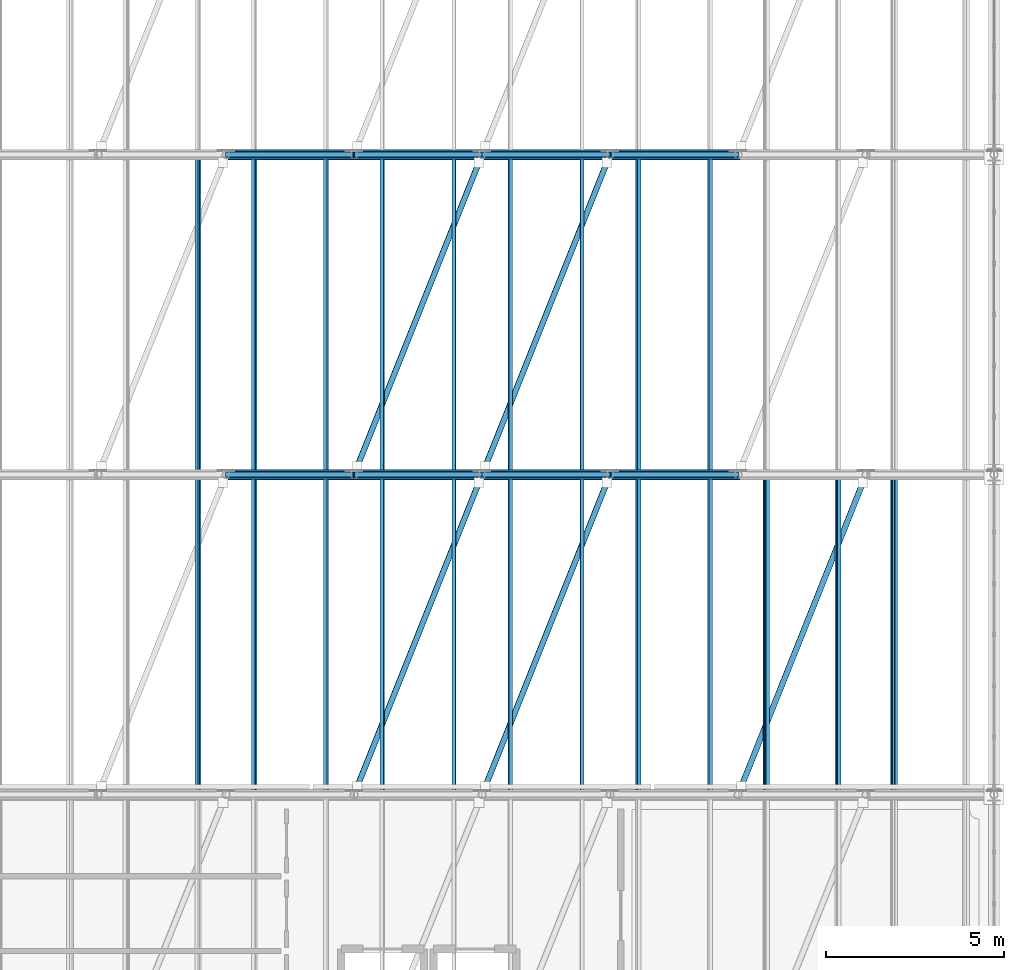
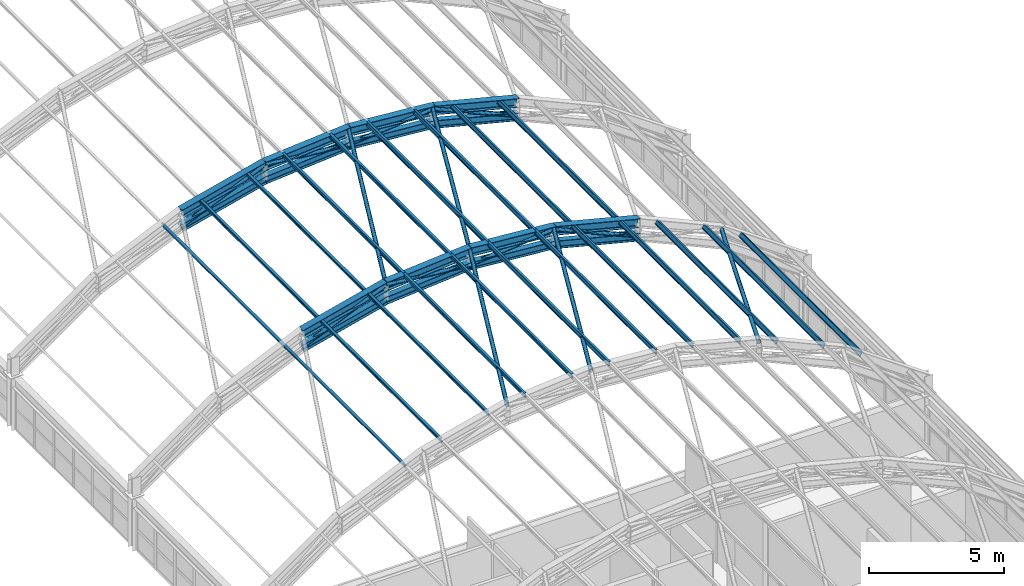
# One storey, part 40 of 121: 42 members, 8 beams.
"""IFC4 building model written with IfcOpenShell, lengths in metres."""

from ifc_helpers import new_model, si_unit, direction, frame, origin, origin_2d, place, context, subcontext, project, spatial, hollow_circle, i_section, extrude, material, material_profile, profile_set, type_object, element, save


model = new_model("IFC4")

# Units and contexts
model_context = context("Model", 3, precision=1e-05, world=origin(), true_north=direction((0.0, 1.0)))
body_context = subcontext(model_context, "Body", "Model", "MODEL_VIEW")
ifc_project = project(units=[si_unit("LENGTHUNIT", "METRE"), si_unit("AREAUNIT", "SQUARE_METRE"), si_unit("VOLUMEUNIT", "CUBIC_METRE"), si_unit("PLANEANGLEUNIT", "RADIAN"), si_unit("MASSUNIT", "GRAM", prefix="KILO")], contexts=[model_context])

# Site, building, storey
site_placement = place(None, origin())
site = spatial("IfcSite", under=ifc_project, at=site_placement, CompositionType="ELEMENT")
building_placement = place(site_placement, origin())
building = spatial("IfcBuilding", under=site, at=building_placement, Name="Canglan Escarpment Cableway Terminal", CompositionType="ELEMENT")
storey_placement = place(building_placement, frame((0.0, 0.0, 24.60009765625)))
storey = spatial("IfcBuildingStorey", under=building, at=storey_placement, Name="L05", CompositionType="ELEMENT", Elevation=24.60009765625)

# Beams
ifc_material = material(Name="Steel Q355B", Category="steel")
ifc_material_profile_1 = material_profile(ifc_material, i_section(OverallWidth=0.300048828125, OverallDepth=0.389892578125, WebThickness=0.010009765625, FlangeThickness=0.01611328125, FilletRadius=0.02197265625, at=origin_2d()), Name="HM 390x300x10x16")
ifc_profile_set_1 = profile_set([ifc_material_profile_1], Name="Steel Q355B")
beam_type = type_object("IfcBeamType", Name="BM-ARCH-TOP-HM390", PredefinedType="BEAM", material=ifc_profile_set_1)
beam_1_placement = place(storey_placement, frame((144.800048828125, 61.0, 7.23828125), z_axis=(0.969179969731, 0.0, 0.246353782743), x_axis=(0.0, 1.0, 0.0)))
element("IfcBeam", 1, at=beam_1_placement, inside=storey, type_object=beam_type, Name="Vault ROOF TRUSS arch top chord AR-TC1", PredefinedType="BEAM", context=body_context, shape_type="SweptSolid", body=[
    extrude(i_section(OverallWidth=0.300048828125, OverallDepth=0.389892578125, WebThickness=0.010009765625, FlangeThickness=0.01611328125, FilletRadius=0.02197265625, at=origin_2d()), origin(), (0.0, 0.0, 1.0), 3.71435546875),
])
for number, where, z_axis, x_axis, name in (
    (2, (148.39990234375, 61.0, 8.1533203125), (0.996622699984, 0.0, 0.082116952426), (0.0, 1.0, 0.0), "Vault ROOF TRUSS arch top chord AR-TC1"),
    (3, (152.0, 61.0, 8.449951171875), (0.996622699984, 0.0, -0.082116952426), (0.0, 1.0, 0.0), "Vault ROOF TRUSS arch top chord AR-TC1"),
):
    element("IfcBeam", number, at=place(storey_placement, frame(where, z_axis=z_axis, x_axis=x_axis)), inside=storey, type_object=beam_type, Name=name, PredefinedType="BEAM", context=body_context, shape_type="SweptSolid", body=[
        extrude(i_section(OverallWidth=0.300048828125, OverallDepth=0.389892578125, WebThickness=0.010009765625, FlangeThickness=0.01611328125, FilletRadius=0.02197265625, at=origin_2d()), origin(), (0.0, 0.0, 1.0), 3.6123046875),
    ])
for number, where, z_axis, x_axis, name in (
    (4, (155.60009765625, 61.0, 8.1533203125), (0.969179969731, 0.0, -0.246353782743), (0.0, 1.0, 0.0), "Vault ROOF TRUSS arch top chord AR-TC1"),
    (5, (144.800048828125, 70.0, 7.23828125), (0.969179969731, 0.0, 0.246353782743), (0.0, 1.0, 0.0), "Vault ROOF TRUSS arch top chord AR-TC1"),
):
    element("IfcBeam", number, at=place(storey_placement, frame(where, z_axis=z_axis, x_axis=x_axis)), inside=storey, type_object=beam_type, Name=name, PredefinedType="BEAM", context=body_context, shape_type="SweptSolid", body=[
        extrude(i_section(OverallWidth=0.300048828125, OverallDepth=0.389892578125, WebThickness=0.010009765625, FlangeThickness=0.01611328125, FilletRadius=0.02197265625, at=origin_2d()), origin(), (0.0, 0.0, 1.0), 3.71435546875),
    ])
for number, where, z_axis, x_axis, name in (
    (6, (148.39990234375, 70.0, 8.1533203125), (0.996622699984, 0.0, 0.082116952426), (0.0, 1.0, 0.0), "Vault ROOF TRUSS arch top chord AR-TC1"),
    (7, (152.0, 70.0, 8.449951171875), (0.996622699984, 0.0, -0.082116952426), (0.0, 1.0, 0.0), "Vault ROOF TRUSS arch top chord AR-TC1"),
):
    element("IfcBeam", number, at=place(storey_placement, frame(where, z_axis=z_axis, x_axis=x_axis)), inside=storey, type_object=beam_type, Name=name, PredefinedType="BEAM", context=body_context, shape_type="SweptSolid", body=[
        extrude(i_section(OverallWidth=0.300048828125, OverallDepth=0.389892578125, WebThickness=0.010009765625, FlangeThickness=0.01611328125, FilletRadius=0.02197265625, at=origin_2d()), origin(), (0.0, 0.0, 1.0), 3.6123046875),
    ])
beam_2_placement = place(storey_placement, frame((155.60009765625, 70.0, 8.1533203125), z_axis=(0.969179969731, 0.0, -0.246353782743), x_axis=(0.0, 1.0, 0.0)))
element("IfcBeam", 8, at=beam_2_placement, inside=storey, type_object=beam_type, Name="Vault ROOF TRUSS arch top chord AR-TC1", PredefinedType="BEAM", context=body_context, shape_type="SweptSolid", body=[
    extrude(i_section(OverallWidth=0.300048828125, OverallDepth=0.389892578125, WebThickness=0.010009765625, FlangeThickness=0.01611328125, FilletRadius=0.02197265625, at=origin_2d()), origin(), (0.0, 0.0, 1.0), 3.71435546875),
])

# Members
ifc_material_profile_2 = material_profile(ifc_material, i_section(OverallWidth=0.25, OverallDepth=0.340087890625, WebThickness=0.009033203125, FlangeThickness=0.013916015625, FilletRadius=0.02001953125, at=origin_2d()), Name="HM 340x250x9x14")
ifc_profile_set_2 = profile_set([ifc_material_profile_2], Name="Steel Q355B")
member_type_1 = type_object("IfcMemberType", Name="MB-ARCH-BOT-HM340", PredefinedType="CHORD", material=ifc_profile_set_2)
member_1_placement = place(storey_placement, frame((144.800048828125, 61.0, 6.58837890625), z_axis=(0.969179969731, 0.0, 0.246353782743), x_axis=(0.0, 1.0, 0.0)))
element("IfcMember", 9, at=member_1_placement, inside=storey, type_object=member_type_1, Name="Vault ROOF TRUSS arch bottom chord AR-BC1", PredefinedType="CHORD", context=body_context, shape_type="SweptSolid", body=[
    extrude(i_section(OverallWidth=0.25, OverallDepth=0.340087890625, WebThickness=0.009033203125, FlangeThickness=0.013916015625, FilletRadius=0.02001953125, at=origin_2d()), origin(), (0.0, 0.0, 1.0), 3.71435546875),
])
for number, where, z_axis, x_axis, name in (
    (10, (148.39990234375, 61.0, 7.50341796875), (0.996628228964, 0.0, 0.082049821644), (0.0, 1.0, 0.0), "Vault ROOF TRUSS arch bottom chord AR-BC1"),
    (11, (152.0, 61.0, 7.7998046875), (0.996628228964, 0.0, -0.082049821644), (0.0, 1.0, 0.0), "Vault ROOF TRUSS arch bottom chord AR-BC1"),
):
    element("IfcMember", number, at=place(storey_placement, frame(where, z_axis=z_axis, x_axis=x_axis)), inside=storey, type_object=member_type_1, Name=name, PredefinedType="CHORD", context=body_context, shape_type="SweptSolid", body=[
        extrude(i_section(OverallWidth=0.25, OverallDepth=0.340087890625, WebThickness=0.009033203125, FlangeThickness=0.013916015625, FilletRadius=0.02001953125, at=origin_2d()), origin(), (0.0, 0.0, 1.0), 3.6123046875),
    ])
for number, where, z_axis, x_axis, name in (
    (12, (155.60009765625, 61.0, 7.50341796875), (0.969179969731, 0.0, -0.246353782743), (0.0, 1.0, 0.0), "Vault ROOF TRUSS arch bottom chord AR-BC1"),
    (13, (144.800048828125, 70.0, 6.58837890625), (0.969179969731, 0.0, 0.246353782743), (0.0, 1.0, 0.0), "Vault ROOF TRUSS arch bottom chord AR-BC1"),
):
    element("IfcMember", number, at=place(storey_placement, frame(where, z_axis=z_axis, x_axis=x_axis)), inside=storey, type_object=member_type_1, Name=name, PredefinedType="CHORD", context=body_context, shape_type="SweptSolid", body=[
        extrude(i_section(OverallWidth=0.25, OverallDepth=0.340087890625, WebThickness=0.009033203125, FlangeThickness=0.013916015625, FilletRadius=0.02001953125, at=origin_2d()), origin(), (0.0, 0.0, 1.0), 3.71435546875),
    ])
for number, where, z_axis, x_axis, name in (
    (14, (148.39990234375, 70.0, 7.50341796875), (0.996628228964, 0.0, 0.082049821644), (0.0, 1.0, 0.0), "Vault ROOF TRUSS arch bottom chord AR-BC1"),
    (15, (152.0, 70.0, 7.7998046875), (0.996628228964, 0.0, -0.082049821644), (0.0, 1.0, 0.0), "Vault ROOF TRUSS arch bottom chord AR-BC1"),
):
    element("IfcMember", number, at=place(storey_placement, frame(where, z_axis=z_axis, x_axis=x_axis)), inside=storey, type_object=member_type_1, Name=name, PredefinedType="CHORD", context=body_context, shape_type="SweptSolid", body=[
        extrude(i_section(OverallWidth=0.25, OverallDepth=0.340087890625, WebThickness=0.009033203125, FlangeThickness=0.013916015625, FilletRadius=0.02001953125, at=origin_2d()), origin(), (0.0, 0.0, 1.0), 3.6123046875),
    ])
member_2_placement = place(storey_placement, frame((155.60009765625, 70.0, 7.50341796875), z_axis=(0.969179969731, 0.0, -0.246353782743), x_axis=(0.0, 1.0, 0.0)))
element("IfcMember", 16, at=member_2_placement, inside=storey, type_object=member_type_1, Name="Vault ROOF TRUSS arch bottom chord AR-BC1", PredefinedType="CHORD", context=body_context, shape_type="SweptSolid", body=[
    extrude(i_section(OverallWidth=0.25, OverallDepth=0.340087890625, WebThickness=0.009033203125, FlangeThickness=0.013916015625, FilletRadius=0.02001953125, at=origin_2d()), origin(), (0.0, 0.0, 1.0), 3.71435546875),
])
ifc_material_profile_3 = material_profile(ifc_material, hollow_circle(Radius=0.084228515625, WallThickness=0.006103515625, at=origin_2d()), Name="CHS 168.3x6")
ifc_profile_set_3 = profile_set([ifc_material_profile_3], Name="Steel Q355B")
member_type_2 = type_object("IfcMemberType", Name="MB-ARCH-DIAG-CHS168", PredefinedType="BRACE", material=ifc_profile_set_3)
member_3_placement = place(storey_placement, frame((144.800048828125, 61.0, 6.58837890625), z_axis=(0.917089831489, 0.0, 0.398680625286), x_axis=(0.0, 1.0, 0.0)))
element("IfcMember", 17, at=member_3_placement, inside=storey, type_object=member_type_2, Name="Vault ROOF TRUSS web diagonal AR-DG1", PredefinedType="BRACE", context=body_context, shape_type="SweptSolid", body=[
    extrude(hollow_circle(Radius=0.084228515625, WallThickness=0.006103515625, at=origin_2d()), origin(), (0.0, 0.0, 1.0), 3.92529296875),
])
for number, where, z_axis, x_axis, name in (
    (18, (148.39990234375, 61.0, 8.1533203125), (0.995213349609, 0.0, -0.097726090481), (0.0, 1.0, 0.0), "Vault ROOF TRUSS web diagonal AR-DG1"),
    (19, (152.0, 61.0, 7.7998046875), (0.995213349609, 0.0, 0.097726090481), (0.0, 1.0, 0.0), "Vault ROOF TRUSS web diagonal AR-DG1"),
):
    element("IfcMember", number, at=place(storey_placement, frame(where, z_axis=z_axis, x_axis=x_axis)), inside=storey, type_object=member_type_2, Name=name, PredefinedType="BRACE", context=body_context, shape_type="SweptSolid", body=[
        extrude(hollow_circle(Radius=0.084228515625, WallThickness=0.006103515625, at=origin_2d()), origin(), (0.0, 0.0, 1.0), 3.617431640625),
    ])
for number, where, z_axis, x_axis, name in (
    (20, (155.60009765625, 61.0, 8.1533203125), (0.917089831489, 0.0, -0.398680625286), (0.0, 1.0, 0.0), "Vault ROOF TRUSS web diagonal AR-DG1"),
    (21, (144.800048828125, 70.0, 6.58837890625), (0.917089831489, 0.0, 0.398680625286), (0.0, 1.0, 0.0), "Vault ROOF TRUSS web diagonal AR-DG1"),
):
    element("IfcMember", number, at=place(storey_placement, frame(where, z_axis=z_axis, x_axis=x_axis)), inside=storey, type_object=member_type_2, Name=name, PredefinedType="BRACE", context=body_context, shape_type="SweptSolid", body=[
        extrude(hollow_circle(Radius=0.084228515625, WallThickness=0.006103515625, at=origin_2d()), origin(), (0.0, 0.0, 1.0), 3.92529296875),
    ])
for number, where, z_axis, x_axis, name in (
    (22, (148.39990234375, 70.0, 8.1533203125), (0.995213349609, 0.0, -0.097726090481), (0.0, 1.0, 0.0), "Vault ROOF TRUSS web diagonal AR-DG1"),
    (23, (152.0, 70.0, 7.7998046875), (0.995213349609, 0.0, 0.097726090481), (0.0, 1.0, 0.0), "Vault ROOF TRUSS web diagonal AR-DG1"),
):
    element("IfcMember", number, at=place(storey_placement, frame(where, z_axis=z_axis, x_axis=x_axis)), inside=storey, type_object=member_type_2, Name=name, PredefinedType="BRACE", context=body_context, shape_type="SweptSolid", body=[
        extrude(hollow_circle(Radius=0.084228515625, WallThickness=0.006103515625, at=origin_2d()), origin(), (0.0, 0.0, 1.0), 3.617431640625),
    ])
member_4_placement = place(storey_placement, frame((155.60009765625, 70.0, 8.1533203125), z_axis=(0.917089831489, 0.0, -0.398680625286), x_axis=(0.0, 1.0, 0.0)))
element("IfcMember", 24, at=member_4_placement, inside=storey, type_object=member_type_2, Name="Vault ROOF TRUSS web diagonal AR-DG1", PredefinedType="BRACE", context=body_context, shape_type="SweptSolid", body=[
    extrude(hollow_circle(Radius=0.084228515625, WallThickness=0.006103515625, at=origin_2d()), origin(), (0.0, 0.0, 1.0), 3.92529296875),
])
ifc_material_profile_4 = material_profile(ifc_material, hollow_circle(Radius=0.084228515625, WallThickness=0.006103515625, at=origin_2d()), Name="CHS 168.3x6")
ifc_profile_set_4 = profile_set([ifc_material_profile_4], Name="Steel Q355B")
member_type_3 = type_object("IfcMemberType", Name="MB-ROOF-BR-CHS168", PredefinedType="BRACE", material=ifc_profile_set_4)
for number, where, z_axis, x_axis, name in (
    (25, (148.39990234375, 52.0, 8.1533203125), (0.371225584171, 0.928038785765, 0.030587215839), (-0.928473216852, 0.37139936132, 0.0), "Vault roof plane wind brace BR-03"),
    (26, (152.0, 52.0, 8.449951171875), (0.371225584171, 0.928038785765, -0.030587215839), (-0.928473216852, 0.37139936132, 0.0), "Vault roof plane wind brace BR-03"),
):
    element("IfcMember", number, at=place(storey_placement, frame(where, z_axis=z_axis, x_axis=x_axis)), inside=storey, type_object=member_type_3, Name=name, PredefinedType="BRACE", context=body_context, shape_type="SweptSolid", body=[
        extrude(hollow_circle(Radius=0.084228515625, WallThickness=0.006103515625, at=origin_2d()), origin(), (0.0, 0.0, 1.0), 9.69775390625),
    ])
member_5_placement = place(storey_placement, frame((159.199951171875, 52.0, 7.23828125), z_axis=(0.366307573698, 0.915744093096, -0.165019748547), x_axis=(-0.928473216852, 0.37139936132, 0.0)))
element("IfcMember", 27, at=member_5_placement, inside=storey, type_object=member_type_3, Name="Vault roof plane wind brace BR-03", PredefinedType="BRACE", context=body_context, shape_type="SweptSolid", body=[
    extrude(hollow_circle(Radius=0.084228515625, WallThickness=0.006103515625, at=origin_2d()), origin(), (0.0, 0.0, 1.0), 9.828125),
])
for number, where, z_axis, x_axis, name in (
    (28, (148.39990234375, 61.0, 8.1533203125), (0.371225584171, 0.928038785765, 0.030587215839), (-0.928473216852, 0.37139936132, 0.0), "Vault roof plane wind brace BR-03"),
    (29, (152.0, 61.0, 8.449951171875), (0.371225584171, 0.928038785765, -0.030587215839), (-0.928473216852, 0.37139936132, 0.0), "Vault roof plane wind brace BR-03"),
):
    element("IfcMember", number, at=place(storey_placement, frame(where, z_axis=z_axis, x_axis=x_axis)), inside=storey, type_object=member_type_3, Name=name, PredefinedType="BRACE", context=body_context, shape_type="SweptSolid", body=[
        extrude(hollow_circle(Radius=0.084228515625, WallThickness=0.006103515625, at=origin_2d()), origin(), (0.0, 0.0, 1.0), 9.69775390625),
    ])
ifc_material_profile_5 = material_profile(ifc_material, i_section(OverallWidth=0.10009765625, OverallDepth=0.199951171875, WebThickness=0.005615234375, FlangeThickness=0.008056640625, FilletRadius=0.010986328125, at=origin_2d()), Name="HN 200x100x5.5x8")
ifc_profile_set_5 = profile_set([ifc_material_profile_5], Name="Steel Q355B")
member_type_4 = type_object("IfcMemberType", Name="MB-VAULT-PUR-HN200", PredefinedType="PURLIN", material=ifc_profile_set_5)
for number, where, z_axis, x_axis, name in (
    (30, (144.008056640625, 52.0, 6.968017578125), (0.0, 1.0, 0.0), (-0.911740537138, 0.0, -0.410766591799), "Barrel-vault roof purlin PR-01"),
    (31, (145.592041015625, 52.0, 7.533203125), (0.0, 1.0, 0.0), (-0.969183633805, 0.0, -0.246339367468), "Barrel-vault roof purlin PR-01"),
    (32, (147.60791015625, 52.0, 8.045654296875), (0.0, 1.0, 0.0), (-0.969183633805, 0.0, -0.246339367468), "Barrel-vault roof purlin PR-01"),
    (33, (149.19189453125, 52.0, 8.315185546875), (0.0, 1.0, 0.0), (-0.996625936329, 0.0, -0.082077664662), "Barrel-vault roof purlin PR-01"),
    (34, (151.2080078125, 52.0, 8.481201171875), (0.0, 1.0, 0.0), (-0.996625936329, 0.0, -0.082077664662), "Barrel-vault roof purlin PR-01"),
    (35, (152.7919921875, 52.0, 8.481201171875), (0.0, 1.0, 0.0), (-0.996625936329, 0.0, 0.082077664662), "Barrel-vault roof purlin PR-01"),
    (36, (154.80810546875, 52.0, 8.315185546875), (0.0, 1.0, 0.0), (-0.996625936329, 0.0, 0.082077664662), "Barrel-vault roof purlin PR-01"),
    (37, (156.39208984375, 52.0, 8.045654296875), (0.0, 1.0, 0.0), (-0.969183633805, 0.0, 0.246339367468), "Barrel-vault roof purlin PR-01"),
    (38, (158.407958984375, 52.0, 7.533203125), (0.0, 1.0, 0.0), (-0.969183633805, 0.0, 0.246339367468), "Barrel-vault roof purlin PR-01"),
    (39, (159.991943359375, 52.0, 6.968017578125), (0.0, 1.0, 0.0), (-0.911740537138, 0.0, 0.410766591799), "Barrel-vault roof purlin PR-01"),
    (40, (162.008056640625, 52.0, 6.059814453125), (0.0, 1.0, 0.0), (-0.911740537138, 0.0, 0.410766591799), "Barrel-vault roof purlin PR-01"),
    (41, (163.592041015625, 52.0, 5.1318359375), (0.0, 1.0, 0.0), (-0.817727996784, 0.0, 0.575604832568), "Barrel-vault roof purlin PR-01"),
    (42, (144.008056640625, 61.0, 6.968017578125), (0.0, 1.0, 0.0), (-0.911740537138, 0.0, -0.410766591799), "Barrel-vault roof purlin PR-01"),
    (43, (145.592041015625, 61.0, 7.533203125), (0.0, 1.0, 0.0), (-0.969183633805, 0.0, -0.246339367468), "Barrel-vault roof purlin PR-01"),
    (44, (147.60791015625, 61.0, 8.045654296875), (0.0, 1.0, 0.0), (-0.969183633805, 0.0, -0.246339367468), "Barrel-vault roof purlin PR-01"),
    (45, (149.19189453125, 61.0, 8.315185546875), (0.0, 1.0, 0.0), (-0.996625936329, 0.0, -0.082077664662), "Barrel-vault roof purlin PR-01"),
    (46, (151.2080078125, 61.0, 8.481201171875), (0.0, 1.0, 0.0), (-0.996625936329, 0.0, -0.082077664662), "Barrel-vault roof purlin PR-01"),
    (47, (152.7919921875, 61.0, 8.481201171875), (0.0, 1.0, 0.0), (-0.996625936329, 0.0, 0.082077664662), "Barrel-vault roof purlin PR-01"),
    (48, (154.80810546875, 61.0, 8.315185546875), (0.0, 1.0, 0.0), (-0.996625936329, 0.0, 0.082077664662), "Barrel-vault roof purlin PR-01"),
    (49, (156.39208984375, 61.0, 8.045654296875), (0.0, 1.0, 0.0), (-0.969183633805, 0.0, 0.246339367468), "Barrel-vault roof purlin PR-01"),
    (50, (158.407958984375, 61.0, 7.533203125), (0.0, 1.0, 0.0), (-0.969183633805, 0.0, 0.246339367468), "Barrel-vault roof purlin PR-01"),
):
    element("IfcMember", number, at=place(storey_placement, frame(where, z_axis=z_axis, x_axis=x_axis)), inside=storey, type_object=member_type_4, Name=name, PredefinedType="PURLIN", context=body_context, shape_type="SweptSolid", body=[
        extrude(i_section(OverallWidth=0.10009765625, OverallDepth=0.199951171875, WebThickness=0.005615234375, FlangeThickness=0.008056640625, FilletRadius=0.010986328125, at=origin_2d()), origin(), (0.0, 0.0, 1.0), 9.0),
    ])

save(model, "model.ifc")
